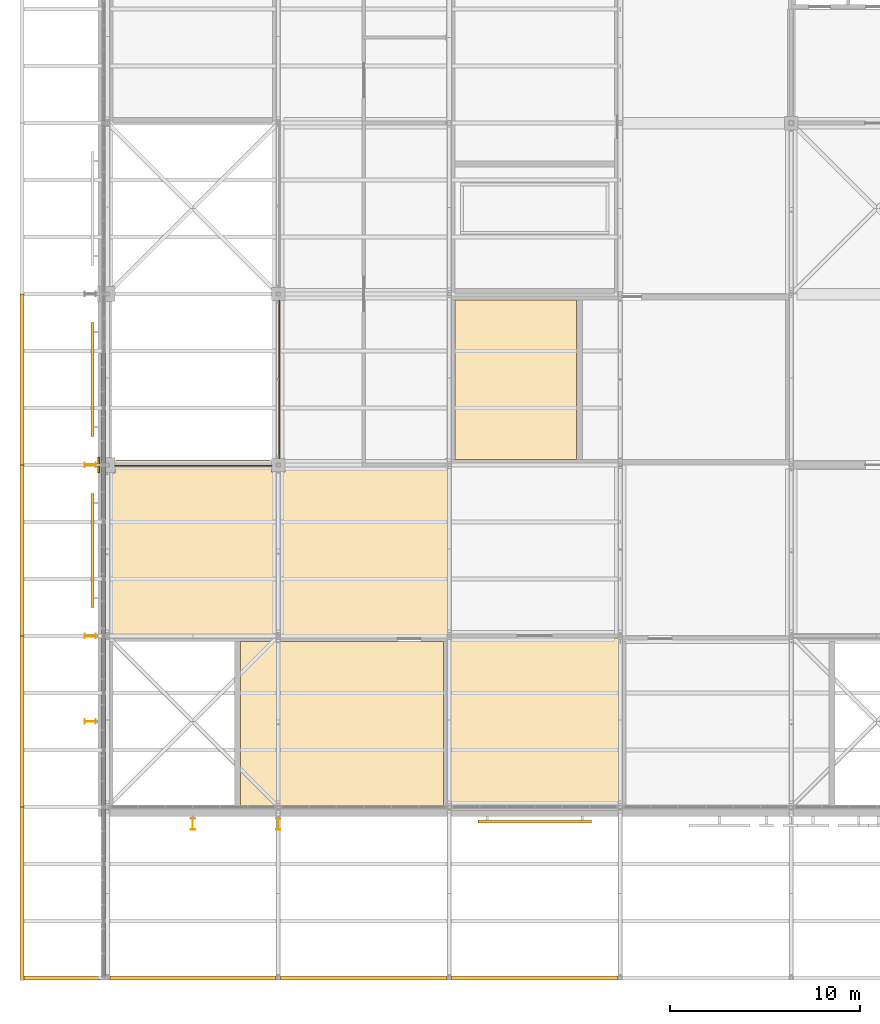
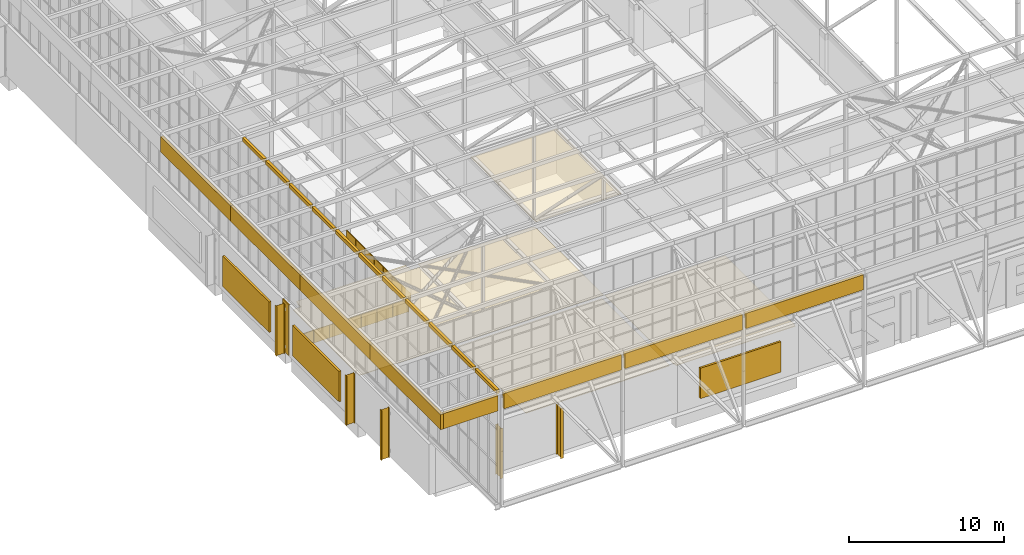
# One storey, part 628 of 646: 24 coverings, 8 shading devices, 2 railings.
"""IFC4 building model written with IfcOpenShell, lengths in metres."""

from ifc_helpers import new_model, si_unit, direction, frame, origin, origin_2d, place, context, subcontext, project, spatial, polyline, rectangle, circle, i_section, outline, extrude, material, layer, layer_set, material_profile, profile_set, type_object, element, save


model = new_model("IFC4")

# Units and contexts
model_context = context("Model", 3, precision=1e-05, world=origin(), true_north=direction((0.0, 1.0)))
body_context = subcontext(model_context, "Body", "Model", "MODEL_VIEW")
ifc_project = project(units=[si_unit("LENGTHUNIT", "METRE"), si_unit("AREAUNIT", "SQUARE_METRE"), si_unit("VOLUMEUNIT", "CUBIC_METRE"), si_unit("PLANEANGLEUNIT", "RADIAN"), si_unit("MASSUNIT", "GRAM", prefix="KILO")], contexts=[model_context])

# Site, building, storey
site_placement = place(None, origin())
site = spatial("IfcSite", under=ifc_project, at=site_placement, CompositionType="ELEMENT")
building_placement = place(site_placement, origin())
building = spatial("IfcBuilding", under=site, at=building_placement, Name="Silverbay Arena", CompositionType="ELEMENT")
storey_placement = place(building_placement, frame((0.0, 0.0, 33.5)))
storey = spatial("IfcBuildingStorey", under=building, at=storey_placement, Name="L05", CompositionType="ELEMENT", Elevation=33.5)

# Coverings
ifc_material_1 = material(Name="Aluminium composite cladding", Category="aluminium")
ifc_layer_1 = layer(ifc_material_1, 0.10009765625)
ifc_layer_set_1 = layer_set([ifc_layer_1], Name="Aluminium composite cladding")
covering_type_1 = type_object("IfcCoveringType", Name="Column cladding 100", PredefinedType="CLADDING", material=ifc_layer_set_1)
covering_1_placement = place(storey_placement, origin())
element("IfcCovering", 1, at=covering_1_placement, inside=storey, type_object=covering_type_1, Name="West column cladding L05 5", PredefinedType="CLADDING", context=body_context, shape_type="SweptSolid", body=[
    extrude(outline(polyline([(53.5, 35.60009765625), (53.60009765625, 35.60009765625), (53.60009765625, 36.39990234375), (53.5, 36.39990234375), (53.5, 35.60009765625)])), origin(), (0.0, 0.0, 1.0), 4.0),
])
ifc_material_2 = material(Name="Fire-resisting board ceiling")
ifc_layer_2 = layer(ifc_material_2, 0.050048828125)
ifc_layer_set_2 = layer_set([ifc_layer_2], Name="Fire-resisting board ceiling")
covering_type_2 = type_object("IfcCoveringType", Name="Fire-resisting ceiling EI 120", PredefinedType="CEILING", material=ifc_layer_set_2)
covering_2_placement = place(storey_placement, frame((0.0, 0.0, 3.5)))
element("IfcCovering", 2, at=covering_2_placement, inside=storey, type_object=covering_type_2, Name="Fire-resisting ceiling 13", PredefinedType="CEILING", context=body_context, shape_type="SweptSolid", body=[
    extrude(outline(polyline([(53.97998046875, 35.5400390625), (53.800048828125, 35.5400390625), (53.800048828125, 27.06005859375), (53.97998046875, 27.06005859375), (53.97998046875, 27.030029296875), (72.0, 27.030029296875), (72.0, 27.10009765625), (71.97998046875, 27.10009765625), (71.97998046875, 35.77001953125), (71.919921875, 35.77001953125), (71.919921875, 35.840087890625), (71.77001953125, 35.840087890625), (71.77001953125, 35.89990234375), (67.39990234375, 35.89990234375), (67.39990234375, 35.97998046875), (63.360107421875, 35.97998046875), (63.360107421875, 35.639892578125), (62.639892578125, 35.639892578125), (62.639892578125, 36.02001953125), (62.590087890625, 36.02001953125), (62.590087890625, 36.27001953125), (54.4599609375, 36.27001953125), (54.4599609375, 36.02001953125), (54.409912109375, 36.02001953125), (54.409912109375, 35.590087890625), (53.97998046875, 35.590087890625), (53.97998046875, 35.5400390625)])), origin(), (0.0, 0.0, 1.0), 0.050048828125),
])
covering_3_placement = place(storey_placement, frame((0.0, 0.0, 3.5)))
element("IfcCovering", 3, at=covering_3_placement, inside=storey, type_object=covering_type_2, Name="Fire-resisting ceiling 17", PredefinedType="CEILING", context=body_context, shape_type="SweptSolid", body=[
    extrude(outline(polyline([(72.06005859375, 17.800048828125), (80.93994140625, 17.800048828125), (80.93994140625, 17.97998046875), (80.969970703125, 17.97998046875), (80.969970703125, 26.89990234375), (72.030029296875, 26.89990234375), (72.030029296875, 17.97998046875), (72.06005859375, 17.97998046875), (72.06005859375, 17.800048828125)])), origin(), (0.0, 0.0, 1.0), 0.050048828125),
])
covering_4_placement = place(storey_placement, frame((0.0, 0.0, 3.5)))
element("IfcCovering", 4, at=covering_4_placement, inside=storey, type_object=covering_type_2, Name="Fire-resisting ceiling 55", PredefinedType="CEILING", context=body_context, shape_type="SweptSolid", body=[
    extrude(outline(polyline([(54.0, 26.699951171875), (54.300048828125, 26.699951171875), (54.300048828125, 18.0), (60.699951171875, 18.0), (60.699951171875, 26.699951171875), (61.0, 26.699951171875), (61.0, 18.0), (71.699951171875, 18.0), (71.699951171875, 26.699951171875), (72.0, 26.699951171875), (54.0, 26.699951171875)])), origin(), (0.0, 0.0, 1.0), 0.050048828125),
])
covering_5_placement = place(storey_placement, frame((0.0, 0.0, 3.5)))
element("IfcCovering", 5, at=covering_5_placement, inside=storey, type_object=covering_type_2, Name="Fire-resisting ceiling 70", PredefinedType="CEILING", context=body_context, shape_type="SweptSolid", body=[
    extrude(outline(polyline([(72.300048828125, 36.300048828125), (78.699951171875, 36.300048828125), (78.699951171875, 44.699951171875), (72.300048828125, 44.699951171875), (72.300048828125, 36.300048828125)])), origin(), (0.0, 0.0, 1.0), 0.050048828125),
])
ifc_material_3 = material(Name="Insulated metal cladding panel")
ifc_layer_3 = layer(ifc_material_3, 0.199951171875)
ifc_layer_set_3 = layer_set([ifc_layer_3], Name="Insulated metal cladding panel")
covering_type_3 = type_object("IfcCoveringType", Name="Gable head closer 200", PredefinedType="CLADDING", material=ifc_layer_set_3)
covering_6_placement = place(storey_placement, frame((0.0, 0.0, 13.0)))
element("IfcCovering", 6, at=covering_6_placement, inside=storey, type_object=covering_type_3, Name="ROOF GABLE HEAD CLOSER west 01", PredefinedType="CLADDING", context=body_context, shape_type="SweptSolid", body=[
    extrude(outline(polyline([(53.68994140625, 9.10009765625), (53.889892578125, 9.10009765625), (53.889892578125, 11.89990234375), (53.68994140625, 11.89990234375), (53.68994140625, 9.10009765625)])), origin(), (0.0, 0.0, 1.0), 0.300048828125),
])
covering_7_placement = place(storey_placement, frame((0.0, 0.0, 13.0)))
element("IfcCovering", 7, at=covering_7_placement, inside=storey, type_object=covering_type_3, Name="ROOF GABLE HEAD CLOSER west 02", PredefinedType="CLADDING", context=body_context, shape_type="SweptSolid", body=[
    extrude(outline(polyline([(53.68994140625, 12.10009765625), (53.889892578125, 12.10009765625), (53.889892578125, 14.89990234375), (53.68994140625, 14.89990234375), (53.68994140625, 12.10009765625)])), origin(), (0.0, 0.0, 1.0), 0.300048828125),
])
covering_8_placement = place(storey_placement, frame((0.0, 0.0, 13.0)))
element("IfcCovering", 8, at=covering_8_placement, inside=storey, type_object=covering_type_3, Name="ROOF GABLE HEAD CLOSER west 03", PredefinedType="CLADDING", context=body_context, shape_type="SweptSolid", body=[
    extrude(outline(polyline([(53.68994140625, 15.10009765625), (53.889892578125, 15.10009765625), (53.889892578125, 17.89990234375), (53.68994140625, 17.89990234375), (53.68994140625, 15.10009765625)])), origin(), (0.0, 0.0, 1.0), 0.300048828125),
])
covering_9_placement = place(storey_placement, frame((0.0, 0.0, 13.0)))
element("IfcCovering", 9, at=covering_9_placement, inside=storey, type_object=covering_type_3, Name="ROOF GABLE HEAD CLOSER west 04", PredefinedType="CLADDING", context=body_context, shape_type="SweptSolid", body=[
    extrude(outline(polyline([(53.68994140625, 18.10009765625), (53.889892578125, 18.10009765625), (53.889892578125, 20.89990234375), (53.68994140625, 20.89990234375), (53.68994140625, 18.10009765625)])), origin(), (0.0, 0.0, 1.0), 0.300048828125),
])
covering_10_placement = place(storey_placement, frame((0.0, 0.0, 13.0)))
element("IfcCovering", 10, at=covering_10_placement, inside=storey, type_object=covering_type_3, Name="ROOF GABLE HEAD CLOSER west 05", PredefinedType="CLADDING", context=body_context, shape_type="SweptSolid", body=[
    extrude(outline(polyline([(53.68994140625, 21.10009765625), (53.889892578125, 21.10009765625), (53.889892578125, 23.89990234375), (53.68994140625, 23.89990234375), (53.68994140625, 21.10009765625)])), origin(), (0.0, 0.0, 1.0), 0.300048828125),
])
covering_11_placement = place(storey_placement, frame((0.0, 0.0, 13.0)))
element("IfcCovering", 11, at=covering_11_placement, inside=storey, type_object=covering_type_3, Name="ROOF GABLE HEAD CLOSER west 06", PredefinedType="CLADDING", context=body_context, shape_type="SweptSolid", body=[
    extrude(outline(polyline([(53.68994140625, 24.10009765625), (53.889892578125, 24.10009765625), (53.889892578125, 26.89990234375), (53.68994140625, 26.89990234375), (53.68994140625, 24.10009765625)])), origin(), (0.0, 0.0, 1.0), 0.300048828125),
])
covering_12_placement = place(storey_placement, frame((0.0, 0.0, 13.0)))
element("IfcCovering", 12, at=covering_12_placement, inside=storey, type_object=covering_type_3, Name="ROOF GABLE HEAD CLOSER west 07", PredefinedType="CLADDING", context=body_context, shape_type="SweptSolid", body=[
    extrude(outline(polyline([(53.68994140625, 27.10009765625), (53.889892578125, 27.10009765625), (53.889892578125, 29.89990234375), (53.68994140625, 29.89990234375), (53.68994140625, 27.10009765625)])), origin(), (0.0, 0.0, 1.0), 0.300048828125),
])
covering_13_placement = place(storey_placement, frame((0.0, 0.0, 13.0)))
element("IfcCovering", 13, at=covering_13_placement, inside=storey, type_object=covering_type_3, Name="ROOF GABLE HEAD CLOSER west 08", PredefinedType="CLADDING", context=body_context, shape_type="SweptSolid", body=[
    extrude(outline(polyline([(53.68994140625, 30.10009765625), (53.889892578125, 30.10009765625), (53.889892578125, 32.89990234375), (53.68994140625, 32.89990234375), (53.68994140625, 30.10009765625)])), origin(), (0.0, 0.0, 1.0), 0.300048828125),
])
covering_14_placement = place(storey_placement, frame((0.0, 0.0, 13.0)))
element("IfcCovering", 14, at=covering_14_placement, inside=storey, type_object=covering_type_3, Name="ROOF GABLE HEAD CLOSER west 09", PredefinedType="CLADDING", context=body_context, shape_type="SweptSolid", body=[
    extrude(outline(polyline([(53.68994140625, 33.10009765625), (53.889892578125, 33.10009765625), (53.889892578125, 35.89990234375), (53.68994140625, 35.89990234375), (53.68994140625, 33.10009765625)])), origin(), (0.0, 0.0, 1.0), 0.300048828125),
])
covering_15_placement = place(storey_placement, frame((0.0, 0.0, 13.0)))
element("IfcCovering", 15, at=covering_15_placement, inside=storey, type_object=covering_type_3, Name="ROOF GABLE HEAD CLOSER west 10", PredefinedType="CLADDING", context=body_context, shape_type="SweptSolid", body=[
    extrude(outline(polyline([(53.68994140625, 36.10009765625), (53.889892578125, 36.10009765625), (53.889892578125, 38.89990234375), (53.68994140625, 38.89990234375), (53.68994140625, 36.10009765625)])), origin(), (0.0, 0.0, 1.0), 0.300048828125),
])
covering_16_placement = place(storey_placement, frame((0.0, 0.0, 13.0)))
element("IfcCovering", 16, at=covering_16_placement, inside=storey, type_object=covering_type_3, Name="ROOF GABLE HEAD CLOSER west 11", PredefinedType="CLADDING", context=body_context, shape_type="SweptSolid", body=[
    extrude(outline(polyline([(53.68994140625, 39.10009765625), (53.889892578125, 39.10009765625), (53.889892578125, 41.89990234375), (53.68994140625, 41.89990234375), (53.68994140625, 39.10009765625)])), origin(), (0.0, 0.0, 1.0), 0.300048828125),
])

# Shading devices
ifc_material_4 = material(Name="Aluminium", Category="aluminium")
shading_device_type_1 = type_object("IfcShadingDeviceType", Name="Louvre screen 6000 x 2400", PredefinedType="JALOUSIE", material=ifc_material_4)
for number, where, z_axis, x_axis, name in (
    (17, (76.5, 17.22509765625, 0.800048828125), (0.0, 0.0, 1.0), (1.0, 0.0, 0.0), "South plant louvre L05 bay 3"),
    (18, (53.22509765625, 31.5, 0.800048828125), (0.0, 0.0, 1.0), (0.0, 1.0, 0.0), "West plant louvre L05 bay 2"),
    (19, (53.22509765625, 40.5, 0.800048828125), (0.0, 0.0, 1.0), (0.0, 1.0, 0.0), "West plant louvre L05 bay 3"),
):
    element("IfcShadingDevice", number, at=place(storey_placement, frame(where, z_axis=z_axis, x_axis=x_axis)), inside=storey, type_object=shading_device_type_1, Name=name, PredefinedType="JALOUSIE", context=body_context, shape_type="SweptSolid", body=[
        extrude(rectangle(XDim=6.0, YDim=0.14990234375, at=origin_2d()), origin(), (0.0, 0.0, 1.0), 2.39990234375),
    ])

# Railings
ifc_material_5 = material(Name="Stainless steel", Category="steel")
railing_type = type_object("IfcRailingType", Name="Opening guard 1100", PredefinedType="GUARDRAIL", material=ifc_material_5)
railing_1_placement = place(storey_placement, frame((63.0400390625, 36.35009765625, 0.0)))
element("IfcRailing", 20, at=railing_1_placement, inside=storey, type_object=railing_type, Name="Opening guard L05 end gallery W-inner edge", PredefinedType="GUARDRAIL", context=body_context, shape_type="SweptSolid", body=[
    extrude(circle(Radius=0.02392578125, at=origin_2d()), frame((0.0, 0.0, 1.076171875), z_axis=(0.0, 1.0, 0.0), x_axis=(-1.0, 0.0, 0.0)), (0.0, 0.0, 1.0), 8.2998046875),
    extrude(outline(polyline([(-0.008056640625, 0.050048828125), (1.193603515625, 0.050048828125), (1.193603515625, 1.052978515625), (-0.008056640625, 1.052978515625), (-0.008056640625, 0.050048828125)])), frame((-0.0029296875, 0.0, 0.0), z_axis=(1.0, 0.0, 0.0), x_axis=(0.0, 1.0, 0.0)), (0.0, 0.0, 1.0), 0.006103515625),
    extrude(outline(polyline([(-0.008056640625, 0.050048828125), (1.193603515625, 0.050048828125), (1.193603515625, 1.052978515625), (-0.008056640625, 1.052978515625), (-0.008056640625, 0.050048828125)])), frame((-0.0029296875, 1.185791015625, 0.0), z_axis=(1.0, 0.0, 0.0), x_axis=(0.0, 1.0, 0.0)), (0.0, 0.0, 1.0), 0.006103515625),
    extrude(outline(polyline([(-0.008056640625, 0.050048828125), (1.193603515625, 0.050048828125), (1.193603515625, 1.052978515625), (-0.008056640625, 1.052978515625), (-0.008056640625, 0.050048828125)])), frame((-0.0029296875, 2.371337890625, 0.0), z_axis=(1.0, 0.0, 0.0), x_axis=(0.0, 1.0, 0.0)), (0.0, 0.0, 1.0), 0.006103515625),
    extrude(outline(polyline([(-0.008056640625, 0.050048828125), (1.193603515625, 0.050048828125), (1.193603515625, 1.052978515625), (-0.008056640625, 1.052978515625), (-0.008056640625, 0.050048828125)])), frame((-0.0029296875, 3.55712890625, 0.0), z_axis=(1.0, 0.0, 0.0), x_axis=(0.0, 1.0, 0.0)), (0.0, 0.0, 1.0), 0.006103515625),
    extrude(outline(polyline([(-0.008056640625, 0.050048828125), (1.193603515625, 0.050048828125), (1.193603515625, 1.052978515625), (-0.008056640625, 1.052978515625), (-0.008056640625, 0.050048828125)])), frame((-0.0029296875, 4.74267578125, 0.0), z_axis=(1.0, 0.0, 0.0), x_axis=(0.0, 1.0, 0.0)), (0.0, 0.0, 1.0), 0.006103515625),
    extrude(outline(polyline([(-0.008056640625, 0.050048828125), (1.193603515625, 0.050048828125), (1.193603515625, 1.052978515625), (-0.008056640625, 1.052978515625), (-0.008056640625, 0.050048828125)])), frame((-0.0029296875, 5.928466796875, 0.0), z_axis=(1.0, 0.0, 0.0), x_axis=(0.0, 1.0, 0.0)), (0.0, 0.0, 1.0), 0.006103515625),
    extrude(outline(polyline([(-0.008056640625, 0.050048828125), (1.193603515625, 0.050048828125), (1.193603515625, 1.052978515625), (-0.008056640625, 1.052978515625), (-0.008056640625, 0.050048828125)])), frame((-0.0029296875, 7.114013671875, 0.0), z_axis=(1.0, 0.0, 0.0), x_axis=(0.0, 1.0, 0.0)), (0.0, 0.0, 1.0), 0.006103515625),
    extrude(circle(Radius=0.02099609375, at=origin_2d()), origin(), (0.0, 0.0, 1.0), 1.052001953125),
    extrude(circle(Radius=0.02099609375, at=origin_2d()), frame((0.0, 1.185791015625, 0.0)), (0.0, 0.0, 1.0), 1.052001953125),
    extrude(circle(Radius=0.02099609375, at=origin_2d()), frame((0.0, 2.371337890625, 0.0)), (0.0, 0.0, 1.0), 1.052001953125),
    extrude(circle(Radius=0.02099609375, at=origin_2d()), frame((0.0, 3.55712890625, 0.0)), (0.0, 0.0, 1.0), 1.052001953125),
    extrude(circle(Radius=0.02099609375, at=origin_2d()), frame((0.0, 4.74267578125, 0.0)), (0.0, 0.0, 1.0), 1.052001953125),
    extrude(circle(Radius=0.02099609375, at=origin_2d()), frame((0.0, 5.928466796875, 0.0)), (0.0, 0.0, 1.0), 1.052001953125),
    extrude(circle(Radius=0.02099609375, at=origin_2d()), frame((0.0, 7.114013671875, 0.0)), (0.0, 0.0, 1.0), 1.052001953125),
    extrude(circle(Radius=0.02099609375, at=origin_2d()), frame((0.0, 8.2998046875, 0.0)), (0.0, 0.0, 1.0), 1.052001953125),
])
railing_2_placement = place(storey_placement, frame((54.39990234375, 35.9599609375, 0.0)))
element("IfcRailing", 21, at=railing_2_placement, inside=storey, type_object=railing_type, Name="Opening guard L05 end gallery W-south edge", PredefinedType="GUARDRAIL", context=body_context, shape_type="SweptSolid", body=[
    extrude(circle(Radius=0.02392578125, at=origin_2d()), frame((0.0, 0.0, 1.076171875), z_axis=(1.0, 0.0, 0.0), x_axis=(0.0, 1.0, 0.0)), (0.0, 0.0, 1.0), 8.25),
    extrude(outline(polyline([(-0.008056640625, 0.050048828125), (1.1865234375, 0.050048828125), (1.1865234375, 1.052978515625), (-0.008056640625, 1.052978515625), (-0.008056640625, 0.050048828125)])), frame((0.0, 0.0029296875, 0.0), z_axis=(0.0, -1.0, 0.0), x_axis=(1.0, 0.0, 0.0)), (0.0, 0.0, 1.0), 0.006103515625),
    extrude(outline(polyline([(-0.008056640625, 0.050048828125), (1.1865234375, 0.050048828125), (1.1865234375, 1.052978515625), (-0.008056640625, 1.052978515625), (-0.008056640625, 0.050048828125)])), frame((1.178466796875, 0.0029296875, 0.0), z_axis=(0.0, -1.0, 0.0), x_axis=(1.0, 0.0, 0.0)), (0.0, 0.0, 1.0), 0.006103515625),
    extrude(outline(polyline([(-0.008056640625, 0.050048828125), (1.1865234375, 0.050048828125), (1.1865234375, 1.052978515625), (-0.008056640625, 1.052978515625), (-0.008056640625, 0.050048828125)])), frame((2.357177734375, 0.0029296875, 0.0), z_axis=(0.0, -1.0, 0.0), x_axis=(1.0, 0.0, 0.0)), (0.0, 0.0, 1.0), 0.006103515625),
    extrude(outline(polyline([(-0.008056640625, 0.050048828125), (1.1865234375, 0.050048828125), (1.1865234375, 1.052978515625), (-0.008056640625, 1.052978515625), (-0.008056640625, 0.050048828125)])), frame((3.53564453125, 0.0029296875, 0.0), z_axis=(0.0, -1.0, 0.0), x_axis=(1.0, 0.0, 0.0)), (0.0, 0.0, 1.0), 0.006103515625),
    extrude(outline(polyline([(-0.008056640625, 0.050048828125), (1.1865234375, 0.050048828125), (1.1865234375, 1.052978515625), (-0.008056640625, 1.052978515625), (-0.008056640625, 0.050048828125)])), frame((4.71435546875, 0.0029296875, 0.0), z_axis=(0.0, -1.0, 0.0), x_axis=(1.0, 0.0, 0.0)), (0.0, 0.0, 1.0), 0.006103515625),
    extrude(outline(polyline([(-0.008056640625, 0.050048828125), (1.1865234375, 0.050048828125), (1.1865234375, 1.052978515625), (-0.008056640625, 1.052978515625), (-0.008056640625, 0.050048828125)])), frame((5.892822265625, 0.0029296875, 0.0), z_axis=(0.0, -1.0, 0.0), x_axis=(1.0, 0.0, 0.0)), (0.0, 0.0, 1.0), 0.006103515625),
    extrude(outline(polyline([(-0.008056640625, 0.050048828125), (1.1865234375, 0.050048828125), (1.1865234375, 1.052978515625), (-0.008056640625, 1.052978515625), (-0.008056640625, 0.050048828125)])), frame((7.071533203125, 0.0029296875, 0.0), z_axis=(0.0, -1.0, 0.0), x_axis=(1.0, 0.0, 0.0)), (0.0, 0.0, 1.0), 0.006103515625),
    extrude(circle(Radius=0.02099609375, at=origin_2d()), origin(), (0.0, 0.0, 1.0), 1.052001953125),
    extrude(circle(Radius=0.02099609375, at=origin_2d()), frame((1.178466796875, 0.0, 0.0)), (0.0, 0.0, 1.0), 1.052001953125),
    extrude(circle(Radius=0.02099609375, at=origin_2d()), frame((2.357177734375, 0.0, 0.0)), (0.0, 0.0, 1.0), 1.052001953125),
    extrude(circle(Radius=0.02099609375, at=origin_2d()), frame((3.53564453125, 0.0, 0.0)), (0.0, 0.0, 1.0), 1.052001953125),
    extrude(circle(Radius=0.02099609375, at=origin_2d()), frame((4.71435546875, 0.0, 0.0)), (0.0, 0.0, 1.0), 1.052001953125),
    extrude(circle(Radius=0.02099609375, at=origin_2d()), frame((5.892822265625, 0.0, 0.0)), (0.0, 0.0, 1.0), 1.052001953125),
    extrude(circle(Radius=0.02099609375, at=origin_2d()), frame((7.071533203125, 0.0, 0.0)), (0.0, 0.0, 1.0), 1.052001953125),
    extrude(circle(Radius=0.02099609375, at=origin_2d()), frame((8.25, 0.0, 0.0)), (0.0, 0.0, 1.0), 1.052001953125),
])

# Coverings
ifc_material_6 = material(Name="Insulated metal cladding panel")
ifc_layer_4 = layer(ifc_material_6, 0.199951171875)
ifc_layer_set_4 = layer_set([ifc_layer_4], Name="Insulated metal cladding panel")
covering_type_4 = type_object("IfcCoveringType", Name="Roof edge fascia 200", PredefinedType="CLADDING", material=ifc_layer_set_4)
covering_17_placement = place(storey_placement, frame((0.0, 0.0, 11.800048828125)))
element("IfcCovering", 22, at=covering_17_placement, inside=storey, type_object=covering_type_4, Name="ROOF EDGE FASCIA south bay 01", PredefinedType="CLADDING", context=body_context, shape_type="SweptSolid", body=[
    extrude(outline(polyline([(54.127197265625, 8.89990234375), (62.872802734375, 8.89990234375), (62.872802734375, 9.10009765625), (54.127197265625, 9.10009765625), (54.127197265625, 8.89990234375)])), origin(), (0.0, 0.0, 1.0), 1.199951171875),
])
covering_18_placement = place(storey_placement, frame((0.0, 0.0, 11.800048828125)))
element("IfcCovering", 23, at=covering_18_placement, inside=storey, type_object=covering_type_4, Name="ROOF EDGE FASCIA south bay 02", PredefinedType="CLADDING", context=body_context, shape_type="SweptSolid", body=[
    extrude(outline(polyline([(63.127197265625, 8.89990234375), (71.872802734375, 8.89990234375), (71.872802734375, 9.10009765625), (63.127197265625, 9.10009765625), (63.127197265625, 8.89990234375)])), origin(), (0.0, 0.0, 1.0), 1.199951171875),
])
covering_19_placement = place(storey_placement, frame((0.0, 0.0, 11.800048828125)))
element("IfcCovering", 24, at=covering_19_placement, inside=storey, type_object=covering_type_4, Name="ROOF EDGE FASCIA south bay 03", PredefinedType="CLADDING", context=body_context, shape_type="SweptSolid", body=[
    extrude(outline(polyline([(72.127197265625, 8.89990234375), (80.872802734375, 8.89990234375), (80.872802734375, 9.10009765625), (72.127197265625, 9.10009765625), (72.127197265625, 8.89990234375)])), origin(), (0.0, 0.0, 1.0), 1.199951171875),
])
covering_20_placement = place(storey_placement, frame((0.0, 0.0, 11.800048828125)))
element("IfcCovering", 25, at=covering_20_placement, inside=storey, type_object=covering_type_4, Name="ROOF EDGE FASCIA west bay 01", PredefinedType="CLADDING", context=body_context, shape_type="SweptSolid", body=[
    extrude(outline(polyline([(49.39990234375, 8.89990234375), (49.60009765625, 8.89990234375), (49.60009765625, 18.0), (49.39990234375, 18.0), (49.39990234375, 8.89990234375)])), origin(), (0.0, 0.0, 1.0), 1.199951171875),
])
covering_21_placement = place(storey_placement, frame((0.0, 0.0, 11.800048828125)))
element("IfcCovering", 26, at=covering_21_placement, inside=storey, type_object=covering_type_4, Name="ROOF EDGE FASCIA west bay 02", PredefinedType="CLADDING", context=body_context, shape_type="SweptSolid", body=[
    extrude(outline(polyline([(49.39990234375, 18.0), (49.60009765625, 18.0), (49.60009765625, 27.0), (49.39990234375, 27.0), (49.39990234375, 18.0)])), origin(), (0.0, 0.0, 1.0), 1.199951171875),
])
covering_22_placement = place(storey_placement, frame((0.0, 0.0, 11.800048828125)))
element("IfcCovering", 27, at=covering_22_placement, inside=storey, type_object=covering_type_4, Name="ROOF EDGE FASCIA west bay 03", PredefinedType="CLADDING", context=body_context, shape_type="SweptSolid", body=[
    extrude(outline(polyline([(49.39990234375, 27.0), (49.60009765625, 27.0), (49.60009765625, 36.0), (49.39990234375, 36.0), (49.39990234375, 27.0)])), origin(), (0.0, 0.0, 1.0), 1.199951171875),
])
covering_23_placement = place(storey_placement, frame((0.0, 0.0, 11.800048828125)))
element("IfcCovering", 28, at=covering_23_placement, inside=storey, type_object=covering_type_4, Name="ROOF EDGE FASCIA west bay 04", PredefinedType="CLADDING", context=body_context, shape_type="SweptSolid", body=[
    extrude(outline(polyline([(49.39990234375, 36.0), (49.60009765625, 36.0), (49.60009765625, 45.0), (49.39990234375, 45.0), (49.39990234375, 36.0)])), origin(), (0.0, 0.0, 1.0), 1.199951171875),
])
covering_24_placement = place(storey_placement, frame((0.0, 0.0, 11.800048828125)))
element("IfcCovering", 29, at=covering_24_placement, inside=storey, type_object=covering_type_4, Name="ROOF EDGE FASCIA south west return", PredefinedType="CLADDING", context=body_context, shape_type="SweptSolid", body=[
    extrude(outline(polyline([(49.60009765625, 8.89990234375), (53.68994140625, 8.89990234375), (53.68994140625, 9.10009765625), (49.60009765625, 9.10009765625), (49.60009765625, 8.89990234375)])), origin(), (0.0, 0.0, 1.0), 1.199951171875),
])

# Shading devices
ifc_material_7 = material(Name="Steel S355", Category="steel")
ifc_material_profile = material_profile(ifc_material_7, i_section(OverallWidth=0.2275390625, OverallDepth=0.6025390625, WebThickness=0.010498046875, FlangeThickness=0.014892578125, at=origin_2d()), Name="UB 610x229x101")
ifc_profile_set = profile_set([ifc_material_profile], Name="Steel S355")
shading_device_type_2 = type_object("IfcShadingDeviceType", Name="Steel fin UB 610x229x101", PredefinedType="USERDEFINED", material=ifc_profile_set)
for number, where, z_axis, x_axis, name in (
    (30, (58.5, 17.0986328125, 0.0), (0.0, 0.0, 1.0), (1.0, 0.0, 0.0), "Steel fin S L05 1"),
    (31, (63.0, 17.0986328125, 0.0), (0.0, 0.0, 1.0), (1.0, 0.0, 0.0), "Steel fin S L05 2"),
    (32, (53.0986328125, 22.5, 0.0), (0.0, 0.0, 1.0), (0.0, 1.0, 0.0), "Steel fin W L05 1"),
    (33, (53.0986328125, 27.0, 0.0), (0.0, 0.0, 1.0), (0.0, 1.0, 0.0), "Steel fin W L05 2"),
    (34, (53.0986328125, 36.0, 0.0), (0.0, 0.0, 1.0), (0.0, 1.0, 0.0), "Steel fin W L05 4"),
):
    element("IfcShadingDevice", number, at=place(storey_placement, frame(where, z_axis=z_axis, x_axis=x_axis)), inside=storey, type_object=shading_device_type_2, Name=name, ObjectType="FIN", PredefinedType="USERDEFINED", context=body_context, shape_type="SweptSolid", body=[
        extrude(i_section(OverallWidth=0.2275390625, OverallDepth=0.6025390625, WebThickness=0.010498046875, FlangeThickness=0.014892578125, at=origin_2d()), origin(), (0.0, 0.0, 1.0), 3.93994140625),
    ])

save(model, "model.ifc")
